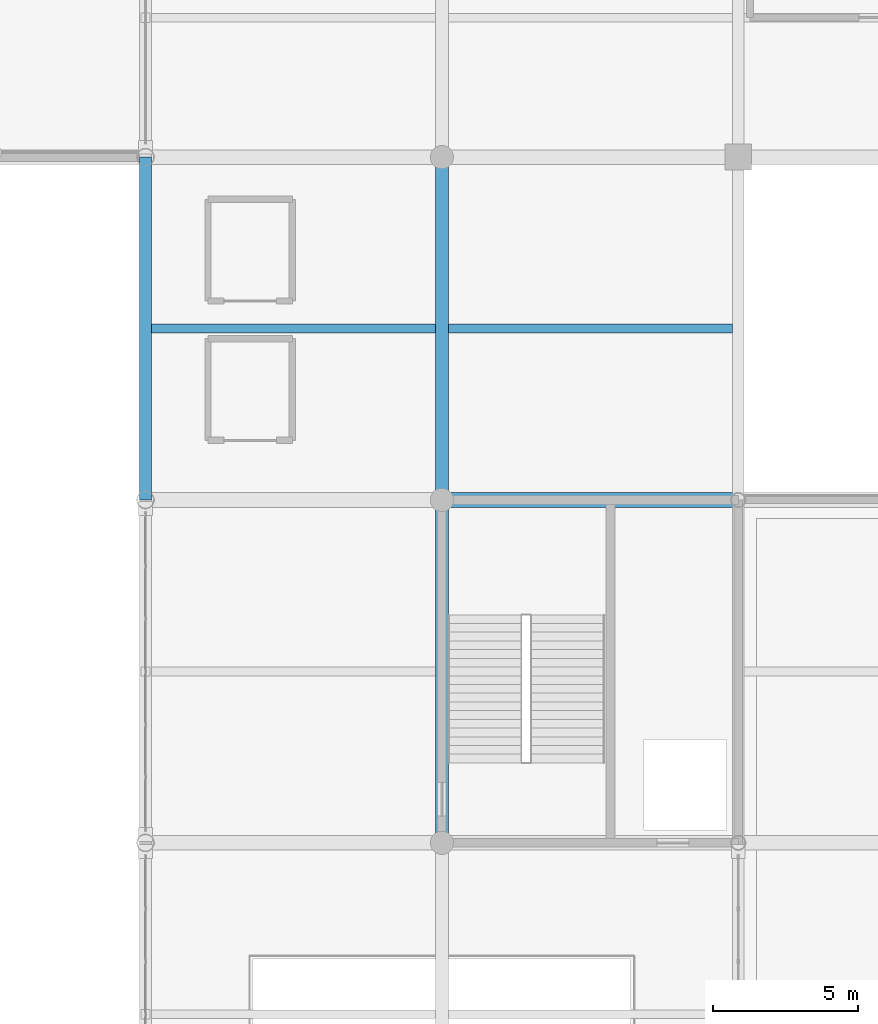
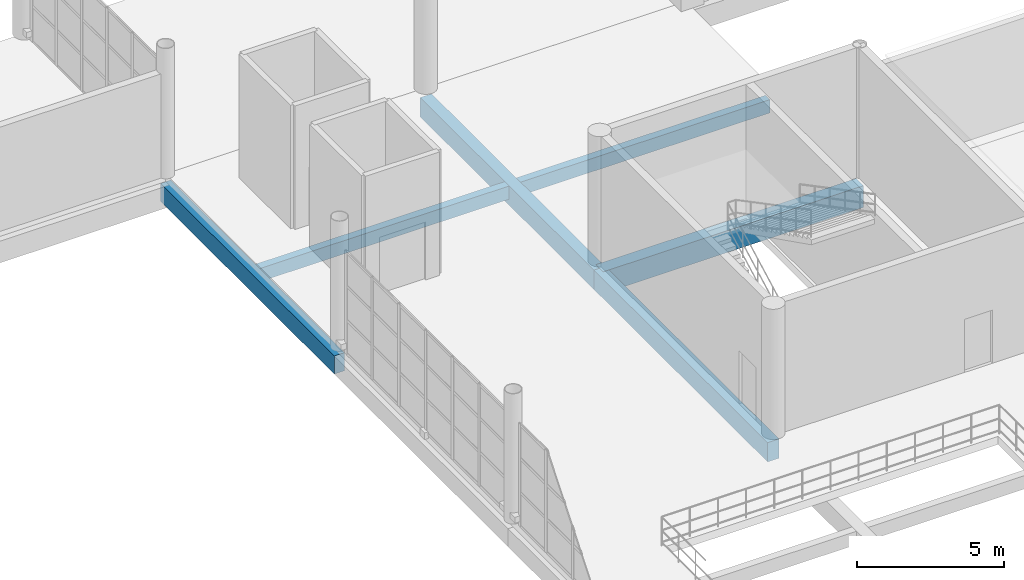
# One storey, part 71 of 175: 6 beams.
"""IFC4 building model written with IfcOpenShell, lengths in metres."""

from ifc_helpers import new_model, si_unit, direction, frame, origin, origin_2d, place, context, subcontext, project, spatial, rectangle, extrude, material, material_profile, profile_set, type_object, element, save


model = new_model("IFC4")

# Units and contexts
model_context = context("Model", 3, precision=1e-05, world=origin(), true_north=direction((0.0, 1.0)))
body_context = subcontext(model_context, "Body", "Model", "MODEL_VIEW")
ifc_project = project(units=[si_unit("LENGTHUNIT", "METRE"), si_unit("AREAUNIT", "SQUARE_METRE"), si_unit("VOLUMEUNIT", "CUBIC_METRE"), si_unit("PLANEANGLEUNIT", "RADIAN"), si_unit("MASSUNIT", "GRAM", prefix="KILO")], contexts=[model_context])

# Site, building, storey
site_placement = place(None, origin())
site = spatial("IfcSite", under=ifc_project, at=site_placement, CompositionType="ELEMENT")
building_placement = place(site_placement, origin())
building = spatial("IfcBuilding", under=site, at=building_placement, Name="Brelvane Convention Centre", CompositionType="ELEMENT")
storey_placement = place(building_placement, frame((0.0, 0.0, 5.39990234375)))
storey = spatial("IfcBuildingStorey", under=building, at=storey_placement, Name="L01", CompositionType="ELEMENT", Elevation=5.39990234375)

# Beams
ifc_material_1 = material(Name="Concrete M40", Category="concrete")
ifc_material_profile_1 = material_profile(ifc_material_1, rectangle(XDim=0.5, YDim=0.89990234375, at=origin_2d()), Name="RC 500x900")
ifc_profile_set_1 = profile_set([ifc_material_profile_1], Name="Concrete M40")
beam_type_1 = type_object("IfcBeamType", Name="RC Beam B-RC4 (RC 500x900)", PredefinedType="BEAM", material=ifc_profile_set_1)
beam_1_placement = place(storey_placement, frame((153.0, 87.800048828125, -0.77978515625), z_axis=(1.0, 0.0, 0.0), x_axis=(0.0, 1.0, 0.0)))
element("IfcBeam", 1, at=beam_1_placement, inside=storey, type_object=beam_type_1, Name="L01 Beam 16-17/J", PredefinedType="BEAM", context=body_context, shape_type="SweptSolid", body=[
    extrude(rectangle(XDim=0.5, YDim=0.89990234375, at=origin_2d()), origin(), (0.0, 0.0, 1.0), 10.199951171875),
])
ifc_material_2 = material(Name="Concrete M40", Category="concrete")
ifc_material_profile_2 = material_profile(ifc_material_2, rectangle(XDim=0.449951171875, YDim=0.800048828125, at=origin_2d()), Name="RC 450x800")
ifc_profile_set_2 = profile_set([ifc_material_profile_2], Name="Concrete M40")
beam_type_2 = type_object("IfcBeamType", Name="RC Beam B-RC5 (RC 450x800)", PredefinedType="BEAM", material=ifc_profile_set_2)
for number, where, z_axis, x_axis, name in (
    (2, (153.0, 76.0, -0.72998046875), (0.0, 1.0, 0.0), (-1.0, 0.0, 0.0), "L01 Girder 16/H-J"),
    (3, (153.0, 87.800048828125, -0.72998046875), (0.0, 1.0, 0.0), (-1.0, 0.0, 0.0), "L01 Girder 16/J-K"),
):
    element("IfcBeam", number, at=place(storey_placement, frame(where, z_axis=z_axis, x_axis=x_axis)), inside=storey, type_object=beam_type_2, Name=name, PredefinedType="BEAM", context=body_context, shape_type="SweptSolid", body=[
        extrude(rectangle(XDim=0.449951171875, YDim=0.800048828125, at=origin_2d()), origin(), (0.0, 0.0, 1.0), 11.800048828125),
    ])
ifc_material_3 = material(Name="Concrete M40", Category="concrete")
ifc_material_profile_3 = material_profile(ifc_material_3, rectangle(XDim=0.300048828125, YDim=0.550048828125, at=origin_2d()), Name="RC 300x550")
ifc_profile_set_3 = profile_set([ifc_material_profile_3], Name="Concrete M40")
beam_type_3 = type_object("IfcBeamType", Name="RC Joist J-RC1 (RC 300x550)", PredefinedType="JOIST", material=ifc_profile_set_3)
for number, where, z_axis, x_axis, name in (
    (4, (143.0, 93.699951171875, -0.60498046875), (1.0, 0.0, 0.0), (0.0, 1.0, 0.0), "L01 Secondary Joist 15-16/JK"),
    (5, (153.22509765625, 93.699951171875, -0.60498046875), (1.0, 0.0, 0.0), (0.0, 1.0, 0.0), "L01 Secondary Joist 16-17/JK"),
):
    element("IfcBeam", number, at=place(storey_placement, frame(where, z_axis=z_axis, x_axis=x_axis)), inside=storey, type_object=beam_type_3, Name=name, PredefinedType="JOIST", context=body_context, shape_type="SweptSolid", body=[
        extrude(rectangle(XDim=0.300048828125, YDim=0.550048828125, at=origin_2d()), origin(), (0.0, 0.0, 1.0), 9.77490234375),
    ])
ifc_material_4 = material(Name="Concrete M40", Category="concrete")
ifc_material_profile_4 = material_profile(ifc_material_4, rectangle(XDim=0.39990234375, YDim=0.75, at=origin_2d()), Name="RC 400x750")
ifc_profile_set_4 = profile_set([ifc_material_profile_4], Name="Concrete M40")
beam_type_4 = type_object("IfcBeamType", Name="RC Spandrel SP-RC1 (RC 400x750)", PredefinedType="SPANDREL", material=ifc_profile_set_4)
beam_2_placement = place(storey_placement, frame((142.800048828125, 87.800048828125, -0.704833984375), z_axis=(0.0, 1.0, 0.0), x_axis=(-1.0, 0.0, 0.0)))
element("IfcBeam", 6, at=beam_2_placement, inside=storey, type_object=beam_type_4, Name="L01 Girder 15/J-K", PredefinedType="SPANDREL", context=body_context, shape_type="SweptSolid", body=[
    extrude(rectangle(XDim=0.39990234375, YDim=0.75, at=origin_2d()), origin(), (0.0, 0.0, 1.0), 11.800048828125),
])

save(model, "model.ifc")
